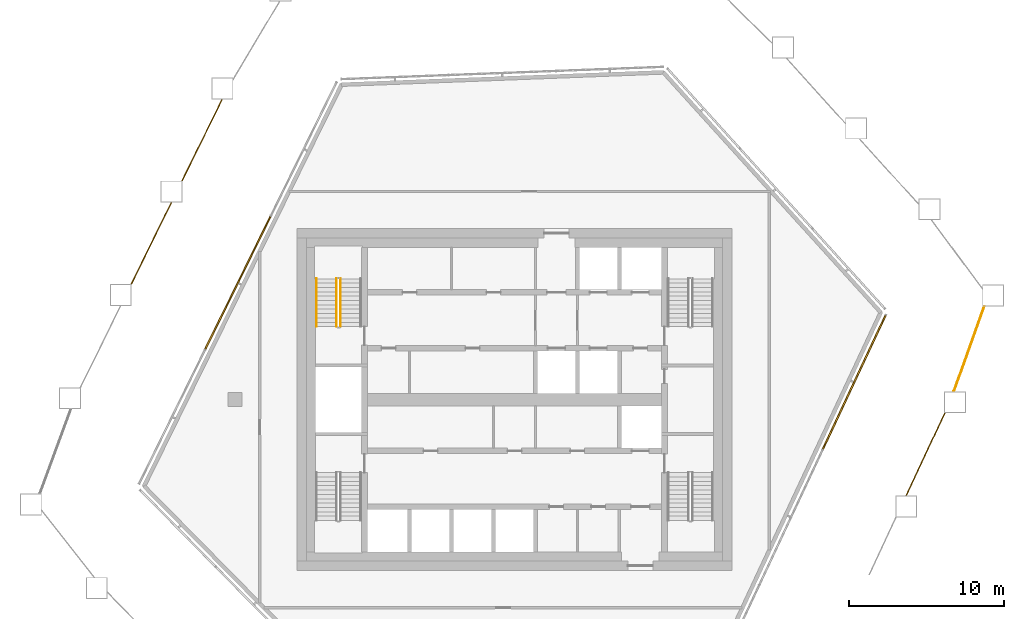
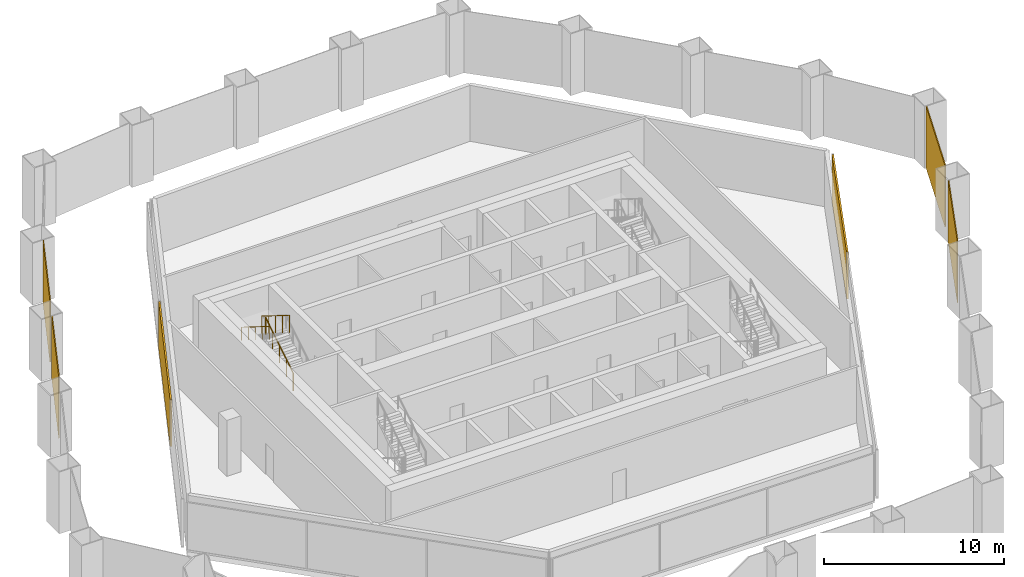
# One storey, part 15 of 18: 6 coverings, 3 railings, 2 elements without a shape of their own.
"""IFC4 building model written with IfcOpenShell, lengths in metres."""

from ifc_helpers import new_model, si_unit, direction, frame, origin, origin_2d, place, context, subcontext, project, spatial, polyline, rectangle, circle, outline, extrude, material, layer, layer_set, type_object, element, aggregate, save


model = new_model("IFC4")

# Units and contexts
model_context = context("Model", 3, precision=1e-05, world=origin(), true_north=direction((0.0, 1.0)))
body_context = subcontext(model_context, "Body", "Model", "MODEL_VIEW")
ifc_project = project(units=[si_unit("LENGTHUNIT", "METRE"), si_unit("AREAUNIT", "SQUARE_METRE"), si_unit("VOLUMEUNIT", "CUBIC_METRE"), si_unit("PLANEANGLEUNIT", "RADIAN"), si_unit("MASSUNIT", "GRAM", prefix="KILO")], contexts=[model_context])

# Site, building, storey
site_placement = place(None, origin())
site = spatial("IfcSite", under=ifc_project, at=site_placement, CompositionType="ELEMENT")
building_placement = place(site_placement, origin())
building = spatial("IfcBuilding", under=site, at=building_placement, Name="Dongbaek Canopy Tower", CompositionType="ELEMENT")
storey_placement = place(building_placement, frame((0.0, 0.0, 359.0)))
storey = spatial("IfcBuildingStorey", under=building, at=storey_placement, Name="L77", CompositionType="ELEMENT", Elevation=359.0)

# Coverings
ifc_material_1 = material(Name="Perforated pale metal")
ifc_layer_1 = layer(ifc_material_1, 0.06005859375)
ifc_layer_set_1 = layer_set([ifc_layer_1], Name="Crown plant screen")
covering_type_1 = type_object("IfcCoveringType", Name="Crown plant screen", PredefinedType="CLADDING", material=ifc_layer_set_1)
covering_1_placement = place(storey_placement, origin())
element("IfcCovering", 1, at=covering_1_placement, inside=storey, type_object=covering_type_1, Name="Crown plant screen 12 L77", PredefinedType="CLADDING", context=body_context, shape_type="SweptSolid", body=[
    extrude(outline(polyline([(25.239501953125, -6.178955078125), (25.17333984375, -6.178955078125), (27.658935546875, -0.8701171875), (27.72509765625, -0.8701171875), (25.239501953125, -6.178955078125)])), origin(), (0.0, 0.0, 1.0), 4.199951171875),
])
covering_2_placement = place(storey_placement, origin())
element("IfcCovering", 2, at=covering_2_placement, inside=storey, type_object=covering_type_1, Name="Crown plant screen 13 L77", PredefinedType="CLADDING", context=body_context, shape_type="SweptSolid", body=[
    extrude(outline(polyline([(28.314453125, 0.530029296875), (28.250732421875, 0.530029296875), (30.20458984375, 5.998046875), (30.268310546875, 5.998046875), (28.314453125, 0.530029296875)])), origin(), (0.0, 0.0, 1.0), 4.199951171875),
])
covering_3_placement = place(storey_placement, origin())
element("IfcCovering", 3, at=covering_3_placement, inside=storey, type_object=covering_type_1, Name="Crown plant screen 23 L77", PredefinedType="CLADDING", context=body_context, shape_type="SweptSolid", body=[
    extrude(outline(polyline([(-18.849365234375, 19.33203125), (-18.78271484375, 19.33203125), (-21.3759765625, 14.0595703125), (-21.3759765625, 14.083984375), (-21.430908203125, 14.083984375), (-18.849365234375, 19.33203125)])), origin(), (0.0, 0.0, 1.0), 4.199951171875),
])
covering_4_placement = place(storey_placement, origin())
element("IfcCovering", 4, at=covering_4_placement, inside=storey, type_object=covering_type_1, Name="Crown plant screen 24 L77", PredefinedType="CLADDING", context=body_context, shape_type="SweptSolid", body=[
    extrude(outline(polyline([(-22.119384765625, 12.68408203125), (-22.052490234375, 12.68408203125), (-24.64697265625, 7.410400390625), (-24.64697265625, 7.43505859375), (-24.70166015625, 7.43505859375), (-22.119384765625, 12.68408203125)])), origin(), (0.0, 0.0, 1.0), 4.199951171875),
])

# Curtain wall, covering
ifc_material_2 = material(Name="Aluminium 6063-T6 pale anodised", Category="aluminium")
ifc_layer_2 = layer(ifc_material_2, 0.14990234375)
ifc_layer_set_2 = layer_set([ifc_layer_2], Name="CW-7 louvre curtain wall")
curtain_wall_type = type_object("IfcCurtainWallType", Name="CW-7 louvre curtain wall", PredefinedType="NOTDEFINED", material=ifc_layer_set_2)
curtain_wall_1_placement = place(storey_placement, origin())
curtain_wall_1 = element("IfcCurtainWall", 5, at=curtain_wall_1_placement, inside=storey, type_object=curtain_wall_type, Name="CW-7 louvre wall L77 F1", PredefinedType="NOTDEFINED")
ifc_material_3 = material(Name="Aluminium 6063-T6 pale metal louvre blades", Category="aluminium")
ifc_layer_3 = layer(ifc_material_3, 0.10009765625)
ifc_layer_set_3 = layer_set([ifc_layer_3], Name="Louvre LV bank 100 x 3200")
covering_type_2 = type_object("IfcCoveringType", Name="Louvre LV bank 100 x 3200", PredefinedType="CLADDING", material=ifc_layer_set_3)
covering_5_placement = place(storey_placement, frame((21.86376953125, 1.118408203125, 0.2998046875), z_axis=(0.0, 0.0, 1.0), x_axis=(0.42412286138, 0.905604659029, 0.0)))
covering_5 = element("IfcCovering", 6, at=covering_5_placement, type_object=covering_type_2, Name="Louvre L77 F1.1.3", PredefinedType="CLADDING", context=body_context, shape_type="SweptSolid", body=[
    extrude(rectangle(XDim=9.510498046875, YDim=0.10009765625, at=origin_2d()), origin(), (0.0, 0.0, 1.0), 3.199951171875),
])
aggregate(curtain_wall_1, [covering_5])

curtain_wall_2_placement = place(storey_placement, origin())
curtain_wall_2 = element("IfcCurtainWall", 7, at=curtain_wall_2_placement, inside=storey, type_object=curtain_wall_type, Name="CW-7 louvre wall L77 F4", PredefinedType="NOTDEFINED")
covering_6_placement = place(storey_placement, frame((-17.808837890625, 7.51025390625, 0.2998046875), z_axis=(0.0, 0.0, 1.0), x_axis=(-0.441341619439, -0.897339163834, 0.0)))
covering_6 = element("IfcCovering", 8, at=covering_6_placement, type_object=covering_type_2, Name="Louvre L77 F4.1.2", PredefinedType="CLADDING", context=body_context, shape_type="SweptSolid", body=[
    extrude(rectangle(XDim=9.51171875, YDim=0.10009765625, at=origin_2d()), origin(), (0.0, 0.0, 1.0), 3.199951171875),
])
aggregate(curtain_wall_2, [covering_6])

# Railings
ifc_material_4 = material(Name="Stainless steel tube and balusters", Category="steel")
railing_type_1 = type_object("IfcRailingType", Name="Stair guard 1200", PredefinedType="GUARDRAIL", material=ifc_material_4)
railing_1_placement = place(storey_placement, frame((-11.199951171875, 4.699951171875, 0.175048828125)))
element("IfcRailing", 9, at=railing_1_placement, inside=storey, type_object=railing_type_1, Name="L77 ST-C stair guard 1", PredefinedType="GUARDRAIL", context=body_context, shape_type="SweptSolid", body=[
    extrude(circle(Radius=0.02392578125, at=origin_2d()), frame((0.0, 0.0, 1.17578125), z_axis=(0.0, 0.847998304005, 0.529998940003), x_axis=(-1.0, 0.0, 0.0)), (0.0, 0.0, 1.0), 3.632080078125),
    extrude(circle(Radius=0.02099609375, at=origin_2d()), origin(), (0.0, 0.0, 1.0), 1.15185546875),
    extrude(circle(Radius=0.02099609375, at=origin_2d()), frame((0.0, 0.77001953125, 0.481201171875)), (0.0, 0.0, 1.0), 1.15185546875),
    extrude(circle(Radius=0.02099609375, at=origin_2d()), frame((0.0, 1.5400390625, 0.96240234375)), (0.0, 0.0, 1.0), 1.15185546875),
    extrude(circle(Radius=0.02099609375, at=origin_2d()), frame((0.0, 2.31005859375, 1.44384765625)), (0.0, 0.0, 1.0), 1.15185546875),
    extrude(circle(Radius=0.02099609375, at=origin_2d()), frame((0.0, 3.080078125, 1.925048828125)), (0.0, 0.0, 1.0), 1.15185546875),
])
railing_2_placement = place(storey_placement, frame((-11.449951171875, 7.780029296875, 2.27490234375)))
element("IfcRailing", 10, at=railing_2_placement, inside=storey, type_object=railing_type_1, Name="L77 ST-C stair guard 3", PredefinedType="GUARDRAIL", context=body_context, shape_type="SweptSolid", body=[
    extrude(circle(Radius=0.02392578125, at=origin_2d()), frame((0.0, 0.0, 1.17578125), z_axis=(0.0, -0.847998304005, 0.529998940003), x_axis=(1.0, 0.0, 0.0)), (0.0, 0.0, 1.0), 3.632080078125),
    extrude(circle(Radius=0.02099609375, at=origin_2d()), origin(), (0.0, 0.0, 1.0), 1.15185546875),
    extrude(circle(Radius=0.02099609375, at=origin_2d()), frame((0.0, -0.77001953125, 0.481201171875)), (0.0, 0.0, 1.0), 1.15185546875),
    extrude(circle(Radius=0.02099609375, at=origin_2d()), frame((0.0, -1.5400390625, 0.96240234375)), (0.0, 0.0, 1.0), 1.15185546875),
    extrude(circle(Radius=0.02099609375, at=origin_2d()), frame((0.0, -2.31005859375, 1.44384765625)), (0.0, 0.0, 1.0), 1.15185546875),
    extrude(circle(Radius=0.02099609375, at=origin_2d()), frame((0.0, -3.080078125, 1.925048828125)), (0.0, 0.0, 1.0), 1.15185546875),
])
ifc_material_5 = material(Name="Stainless steel tube", Category="steel")
railing_type_2 = type_object("IfcRailingType", Name="Stair handrail 900", PredefinedType="HANDRAIL", material=ifc_material_5)
railing_3_placement = place(storey_placement, frame((-12.75, 7.780029296875, 2.27490234375)))
element("IfcRailing", 11, at=railing_3_placement, inside=storey, type_object=railing_type_2, Name="L77 ST-C stair handrail 2", PredefinedType="HANDRAIL", context=body_context, shape_type="SweptSolid", body=[
    extrude(circle(Radius=0.02392578125, at=origin_2d()), frame((0.0, 0.0, 0.8759765625), z_axis=(0.0, -0.847998304005, 0.529998940003), x_axis=(1.0, 0.0, 0.0)), (0.0, 0.0, 1.0), 3.632080078125),
    extrude(circle(Radius=0.02099609375, at=origin_2d()), origin(), (0.0, 0.0, 1.0), 0.851806640625),
    extrude(circle(Radius=0.02099609375, at=origin_2d()), frame((0.0, -0.77001953125, 0.481201171875)), (0.0, 0.0, 1.0), 0.851806640625),
    extrude(circle(Radius=0.02099609375, at=origin_2d()), frame((0.0, -1.5400390625, 0.96240234375)), (0.0, 0.0, 1.0), 0.851806640625),
    extrude(circle(Radius=0.02099609375, at=origin_2d()), frame((0.0, -2.31005859375, 1.44384765625)), (0.0, 0.0, 1.0), 0.851806640625),
    extrude(circle(Radius=0.02099609375, at=origin_2d()), frame((0.0, -3.080078125, 1.925048828125)), (0.0, 0.0, 1.0), 0.851806640625),
])

save(model, "model.ifc")
